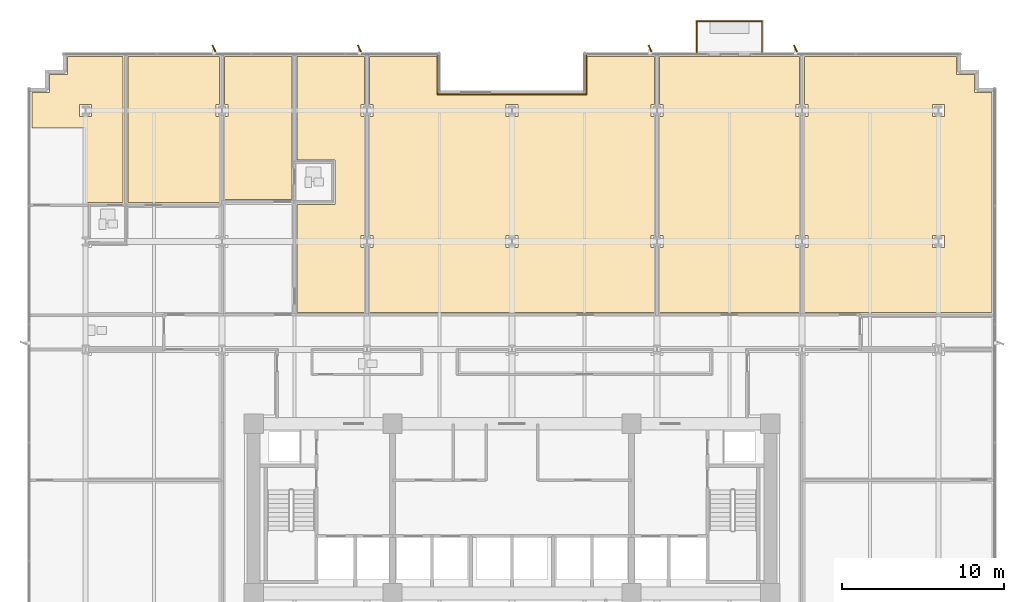
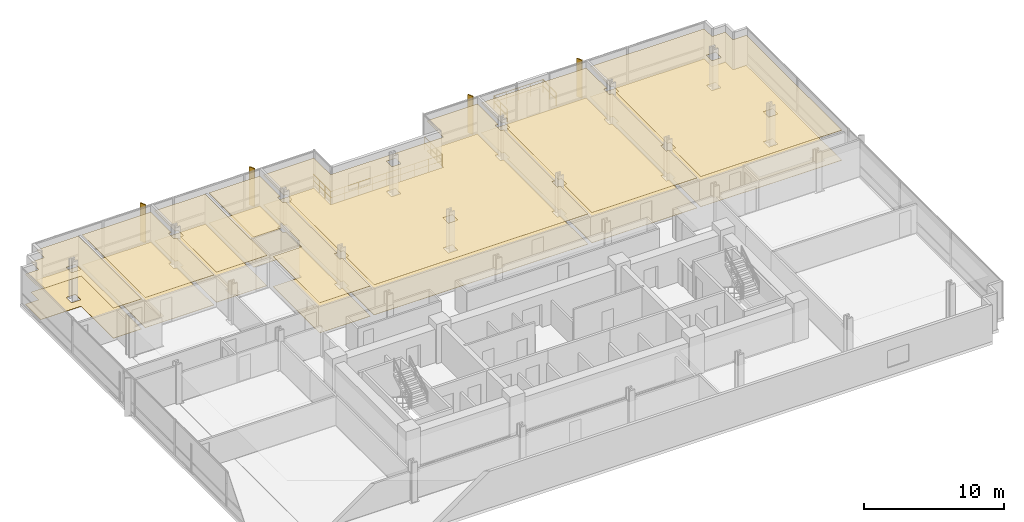
# One storey, part 19 of 20: 14 coverings, 6 railings, 4 shading devices.
"""IFC4 building model written with IfcOpenShell, lengths in metres."""

from ifc_helpers import new_model, si_unit, direction, frame, origin, origin_2d, place, context, subcontext, project, spatial, polyline, rectangle, circle, outline, extrude, material, layer, layer_set, type_object, element, save


model = new_model("IFC4")

# Units and contexts
model_context = context("Model", 3, precision=1e-05, world=origin(), true_north=direction((0.0, 1.0)))
body_context = subcontext(model_context, "Body", "Model", "MODEL_VIEW")
ifc_project = project(units=[si_unit("LENGTHUNIT", "METRE"), si_unit("AREAUNIT", "SQUARE_METRE"), si_unit("VOLUMEUNIT", "CUBIC_METRE"), si_unit("PLANEANGLEUNIT", "RADIAN"), si_unit("MASSUNIT", "GRAM", prefix="KILO")], contexts=[model_context])

# Site, building, storey
site_placement = place(None, origin())
site = spatial("IfcSite", under=ifc_project, at=site_placement, CompositionType="ELEMENT")
building_placement = place(site_placement, origin())
building = spatial("IfcBuilding", under=site, at=building_placement, Name="Solmavex Isthmus Hotel", CompositionType="ELEMENT")
storey_placement = place(building_placement, frame((0.0, 0.0, 57.449951171875)))
storey = spatial("IfcBuildingStorey", under=building, at=storey_placement, Name="L15", CompositionType="ELEMENT", Elevation=57.449951171875)

# Coverings
ifc_material_1 = material(Name="Gypsum plasterboard lining", Category="gypsum")
ifc_layer_1 = layer(ifc_material_1, 0.030029296875)
ifc_layer_set_1 = layer_set([ifc_layer_1], Name="Gypsum plasterboard lining")
covering_type_1 = type_object("IfcCoveringType", Name="COV-CEIL-GYP", PredefinedType="CEILING", material=ifc_layer_set_1)
covering_1_placement = place(storey_placement, frame((0.0, 0.0, 2.6201171875)))
element("IfcCovering", 1, at=covering_1_placement, inside=storey, type_object=covering_type_1, Name="Suspended Acoustic Ceiling L15-HB01", PredefinedType="CEILING", context=body_context, shape_type="SweptSolid", body=[
    extrude(outline(polyline([(-28.625, 18.02490234375), (-29.72509765625, 18.02490234375), (-29.72509765625, 15.800048828125), (-26.39990234375, 15.800048828125), (-26.39990234375, 11.193115234375), (-24.071044921875, 11.193115234375), (-24.071044921875, 20.22509765625), (-27.52490234375, 20.22509765625), (-27.52490234375, 19.125), (-28.625, 19.125), (-28.625, 18.02490234375)]), holes=[polyline([(-26.780029296875, 17.280029296875), (-26.02001953125, 17.280029296875), (-26.02001953125, 16.52001953125), (-26.780029296875, 16.52001953125), (-26.780029296875, 17.280029296875)])]), origin(), (0.0, 0.0, 1.0), 0.030029296875),
])
covering_2_placement = place(storey_placement, frame((0.0, 0.0, 2.6201171875)))
element("IfcCovering", 2, at=covering_2_placement, inside=storey, type_object=covering_type_1, Name="Suspended Acoustic Ceiling L15-HP01", PredefinedType="CEILING", context=body_context, shape_type="SweptSolid", body=[
    extrude(outline(polyline([(-18.10693359375, 16.52001953125), (-18.33203125, 16.52001953125), (-18.33203125, 17.280029296875), (-18.10693359375, 17.280029296875), (-18.10693359375, 20.22509765625), (-23.760986328125, 20.22509765625), (-23.760986328125, 11.193115234375), (-18.10693359375, 11.193115234375), (-18.10693359375, 16.52001953125)])), origin(), (0.0, 0.0, 1.0), 0.030029296875),
])
covering_3_placement = place(storey_placement, frame((0.0, 0.0, 2.6201171875)))
element("IfcCovering", 3, at=covering_3_placement, inside=storey, type_object=covering_type_1, Name="Suspended Acoustic Ceiling L15-SL02-BD", PredefinedType="CEILING", context=body_context, shape_type="SweptSolid", body=[
    extrude(outline(polyline([(-17.797119140625, 17.280029296875), (-17.572021484375, 17.280029296875), (-17.572021484375, 16.52001953125), (-17.797119140625, 16.52001953125), (-17.797119140625, 11.39306640625), (-13.618896484375, 11.39306640625), (-13.618896484375, 20.22509765625), (-17.797119140625, 20.22509765625), (-17.797119140625, 17.280029296875)])), origin(), (0.0, 0.0, 1.0), 0.030029296875),
])
covering_4_placement = place(storey_placement, frame((0.0, 0.0, 2.6201171875)))
element("IfcCovering", 4, at=covering_4_placement, inside=storey, type_object=covering_type_1, Name="Suspended Acoustic Ceiling L15-SV02", PredefinedType="CEILING", context=body_context, shape_type="SweptSolid", body=[
    extrude(outline(polyline([(-9.131103515625, 16.52001953125), (-9.35595703125, 16.52001953125), (-9.35595703125, 17.280029296875), (-9.131103515625, 17.280029296875), (-9.131103515625, 20.22509765625), (-13.30908203125, 20.22509765625), (-13.30908203125, 13.843017578125), (-10.958984375, 13.843017578125), (-10.958984375, 11.0830078125), (-13.30908203125, 11.0830078125), (-13.30908203125, 4.405029296875), (-9.131103515625, 4.405029296875), (-9.131103515625, 8.407958984375), (-9.35595703125, 8.407958984375), (-9.35595703125, 9.16796875), (-9.131103515625, 9.16796875), (-9.131103515625, 16.52001953125)])), origin(), (0.0, 0.0, 1.0), 0.030029296875),
])
covering_5_placement = place(storey_placement, frame((0.0, 0.0, 2.6201171875)))
element("IfcCovering", 5, at=covering_5_placement, inside=storey, type_object=covering_type_1, Name="Suspended Acoustic Ceiling L15-RM03", PredefinedType="CEILING", context=body_context, shape_type="SweptSolid", body=[
    extrude(outline(polyline([(-8.821044921875, 9.16796875), (-8.595947265625, 9.16796875), (-8.595947265625, 8.407958984375), (-8.821044921875, 8.407958984375), (-8.821044921875, 4.405029296875), (8.821044921875, 4.405029296875), (8.821044921875, 8.407958984375), (8.595947265625, 8.407958984375), (8.595947265625, 9.16796875), (8.821044921875, 9.16796875), (8.821044921875, 16.52001953125), (8.595947265625, 16.52001953125), (8.595947265625, 17.280029296875), (8.821044921875, 17.280029296875), (8.821044921875, 20.22509765625), (4.655029296875, 20.22509765625), (4.655029296875, 17.844970703125), (-4.655029296875, 17.844970703125), (-4.655029296875, 20.22509765625), (-8.821044921875, 20.22509765625), (-8.821044921875, 17.280029296875), (-8.595947265625, 17.280029296875), (-8.595947265625, 16.52001953125), (-8.821044921875, 16.52001953125), (-8.821044921875, 9.16796875)]), holes=[polyline([(-0.3798828125, 8.407958984375), (-0.3798828125, 9.16796875), (0.3798828125, 9.16796875), (0.3798828125, 8.407958984375), (-0.3798828125, 8.407958984375)]), polyline([(-0.3798828125, 17.280029296875), (0.3798828125, 17.280029296875), (0.3798828125, 16.52001953125), (-0.3798828125, 16.52001953125), (-0.3798828125, 17.280029296875)])]), origin(), (0.0, 0.0, 1.0), 0.030029296875),
])
covering_6_placement = place(storey_placement, frame((0.0, 0.0, 2.6201171875)))
element("IfcCovering", 6, at=covering_6_placement, inside=storey, type_object=covering_type_1, Name="Suspended Acoustic Ceiling L15-RM04", PredefinedType="CEILING", context=body_context, shape_type="SweptSolid", body=[
    extrude(outline(polyline([(9.131103515625, 9.16796875), (9.35595703125, 9.16796875), (9.35595703125, 8.407958984375), (9.131103515625, 8.407958984375), (9.131103515625, 4.405029296875), (17.797119140625, 4.405029296875), (17.797119140625, 8.407958984375), (17.572021484375, 8.407958984375), (17.572021484375, 9.16796875), (17.797119140625, 9.16796875), (17.797119140625, 16.52001953125), (17.572021484375, 16.52001953125), (17.572021484375, 17.280029296875), (17.797119140625, 17.280029296875), (17.797119140625, 20.22509765625), (9.131103515625, 20.22509765625), (9.131103515625, 17.280029296875), (9.35595703125, 17.280029296875), (9.35595703125, 16.52001953125), (9.131103515625, 16.52001953125), (9.131103515625, 9.16796875)])), origin(), (0.0, 0.0, 1.0), 0.030029296875),
])
covering_7_placement = place(storey_placement, frame((0.0, 0.0, 2.6201171875)))
element("IfcCovering", 7, at=covering_7_placement, inside=storey, type_object=covering_type_1, Name="Suspended Acoustic Ceiling L15-RM05", PredefinedType="CEILING", context=body_context, shape_type="SweptSolid", body=[
    extrude(outline(polyline([(18.10693359375, 9.16796875), (18.33203125, 9.16796875), (18.33203125, 8.407958984375), (18.10693359375, 8.407958984375), (18.10693359375, 4.405029296875), (21.70703125, 4.405029296875), (21.70703125, 4.385009765625), (29.72509765625, 4.385009765625), (29.72509765625, 18.02490234375), (28.625, 18.02490234375), (28.625, 19.125), (27.52490234375, 19.125), (27.52490234375, 20.22509765625), (18.10693359375, 20.22509765625), (18.10693359375, 17.280029296875), (18.33203125, 17.280029296875), (18.33203125, 16.52001953125), (18.10693359375, 16.52001953125), (18.10693359375, 9.16796875)]), holes=[polyline([(26.02001953125, 8.407958984375), (26.02001953125, 9.16796875), (26.780029296875, 9.16796875), (26.780029296875, 8.407958984375), (26.02001953125, 8.407958984375)]), polyline([(26.02001953125, 16.52001953125), (26.02001953125, 17.280029296875), (26.780029296875, 17.280029296875), (26.780029296875, 16.52001953125), (26.02001953125, 16.52001953125)])]), origin(), (0.0, 0.0, 1.0), 0.030029296875),
])
ifc_material_2 = material(Name="Travertine natural stone", Category="masonry")
ifc_layer_2 = layer(ifc_material_2, 0.02490234375)
ifc_layer_set_2 = layer_set([ifc_layer_2], Name="Travertine natural stone")
covering_type_2 = type_object("IfcCoveringType", Name="COV-FLOR-STN", PredefinedType="FLOORING", material=ifc_layer_set_2)
covering_8_placement = place(storey_placement, origin())
element("IfcCovering", 8, at=covering_8_placement, inside=storey, type_object=covering_type_2, Name="Stone and Timber Floor Finish L15-HB01", PredefinedType="FLOORING", context=body_context, shape_type="SweptSolid", body=[
    extrude(outline(polyline([(-28.625, 18.02490234375), (-29.72509765625, 18.02490234375), (-29.72509765625, 15.800048828125), (-26.39990234375, 15.800048828125), (-26.39990234375, 11.193115234375), (-24.071044921875, 11.193115234375), (-24.071044921875, 20.22509765625), (-27.52490234375, 20.22509765625), (-27.52490234375, 19.125), (-28.625, 19.125), (-28.625, 18.02490234375)]), holes=[polyline([(-26.780029296875, 17.280029296875), (-26.02001953125, 17.280029296875), (-26.02001953125, 16.52001953125), (-26.780029296875, 16.52001953125), (-26.780029296875, 17.280029296875)])]), origin(), (0.0, 0.0, 1.0), 0.025146484375),
])
covering_9_placement = place(storey_placement, origin())
element("IfcCovering", 9, at=covering_9_placement, inside=storey, type_object=covering_type_2, Name="Stone and Timber Floor Finish L15-HP01", PredefinedType="FLOORING", context=body_context, shape_type="SweptSolid", body=[
    extrude(outline(polyline([(-18.10693359375, 16.52001953125), (-18.33203125, 16.52001953125), (-18.33203125, 17.280029296875), (-18.10693359375, 17.280029296875), (-18.10693359375, 20.22509765625), (-23.760986328125, 20.22509765625), (-23.760986328125, 11.193115234375), (-18.10693359375, 11.193115234375), (-18.10693359375, 16.52001953125)])), origin(), (0.0, 0.0, 1.0), 0.025146484375),
])
covering_10_placement = place(storey_placement, origin())
element("IfcCovering", 10, at=covering_10_placement, inside=storey, type_object=covering_type_2, Name="Stone and Timber Floor Finish L15-SL02-BD", PredefinedType="FLOORING", context=body_context, shape_type="SweptSolid", body=[
    extrude(outline(polyline([(-17.797119140625, 17.280029296875), (-17.572021484375, 17.280029296875), (-17.572021484375, 16.52001953125), (-17.797119140625, 16.52001953125), (-17.797119140625, 11.39306640625), (-13.618896484375, 11.39306640625), (-13.618896484375, 20.22509765625), (-17.797119140625, 20.22509765625), (-17.797119140625, 17.280029296875)])), origin(), (0.0, 0.0, 1.0), 0.025146484375),
])
covering_11_placement = place(storey_placement, origin())
element("IfcCovering", 11, at=covering_11_placement, inside=storey, type_object=covering_type_2, Name="Stone and Timber Floor Finish L15-SV02", PredefinedType="FLOORING", context=body_context, shape_type="SweptSolid", body=[
    extrude(outline(polyline([(-9.131103515625, 16.52001953125), (-9.35595703125, 16.52001953125), (-9.35595703125, 17.280029296875), (-9.131103515625, 17.280029296875), (-9.131103515625, 20.22509765625), (-13.30908203125, 20.22509765625), (-13.30908203125, 13.843017578125), (-10.958984375, 13.843017578125), (-10.958984375, 11.0830078125), (-13.30908203125, 11.0830078125), (-13.30908203125, 4.405029296875), (-9.131103515625, 4.405029296875), (-9.131103515625, 8.407958984375), (-9.35595703125, 8.407958984375), (-9.35595703125, 9.16796875), (-9.131103515625, 9.16796875), (-9.131103515625, 16.52001953125)])), origin(), (0.0, 0.0, 1.0), 0.025146484375),
])
covering_12_placement = place(storey_placement, origin())
element("IfcCovering", 12, at=covering_12_placement, inside=storey, type_object=covering_type_2, Name="Stone and Timber Floor Finish L15-RM03", PredefinedType="FLOORING", context=body_context, shape_type="SweptSolid", body=[
    extrude(outline(polyline([(-8.821044921875, 9.16796875), (-8.595947265625, 9.16796875), (-8.595947265625, 8.407958984375), (-8.821044921875, 8.407958984375), (-8.821044921875, 4.405029296875), (8.821044921875, 4.405029296875), (8.821044921875, 8.407958984375), (8.595947265625, 8.407958984375), (8.595947265625, 9.16796875), (8.821044921875, 9.16796875), (8.821044921875, 16.52001953125), (8.595947265625, 16.52001953125), (8.595947265625, 17.280029296875), (8.821044921875, 17.280029296875), (8.821044921875, 20.22509765625), (4.655029296875, 20.22509765625), (4.655029296875, 17.844970703125), (-4.655029296875, 17.844970703125), (-4.655029296875, 20.22509765625), (-8.821044921875, 20.22509765625), (-8.821044921875, 17.280029296875), (-8.595947265625, 17.280029296875), (-8.595947265625, 16.52001953125), (-8.821044921875, 16.52001953125), (-8.821044921875, 9.16796875)]), holes=[polyline([(-0.3798828125, 8.407958984375), (-0.3798828125, 9.16796875), (0.3798828125, 9.16796875), (0.3798828125, 8.407958984375), (-0.3798828125, 8.407958984375)]), polyline([(-0.3798828125, 17.280029296875), (0.3798828125, 17.280029296875), (0.3798828125, 16.52001953125), (-0.3798828125, 16.52001953125), (-0.3798828125, 17.280029296875)])]), origin(), (0.0, 0.0, 1.0), 0.025146484375),
])
covering_13_placement = place(storey_placement, origin())
element("IfcCovering", 13, at=covering_13_placement, inside=storey, type_object=covering_type_2, Name="Stone and Timber Floor Finish L15-RM04", PredefinedType="FLOORING", context=body_context, shape_type="SweptSolid", body=[
    extrude(outline(polyline([(9.131103515625, 9.16796875), (9.35595703125, 9.16796875), (9.35595703125, 8.407958984375), (9.131103515625, 8.407958984375), (9.131103515625, 4.405029296875), (17.797119140625, 4.405029296875), (17.797119140625, 8.407958984375), (17.572021484375, 8.407958984375), (17.572021484375, 9.16796875), (17.797119140625, 9.16796875), (17.797119140625, 16.52001953125), (17.572021484375, 16.52001953125), (17.572021484375, 17.280029296875), (17.797119140625, 17.280029296875), (17.797119140625, 20.22509765625), (9.131103515625, 20.22509765625), (9.131103515625, 17.280029296875), (9.35595703125, 17.280029296875), (9.35595703125, 16.52001953125), (9.131103515625, 16.52001953125), (9.131103515625, 9.16796875)])), origin(), (0.0, 0.0, 1.0), 0.025146484375),
])
covering_14_placement = place(storey_placement, origin())
element("IfcCovering", 14, at=covering_14_placement, inside=storey, type_object=covering_type_2, Name="Stone and Timber Floor Finish L15-RM05", PredefinedType="FLOORING", context=body_context, shape_type="SweptSolid", body=[
    extrude(outline(polyline([(18.10693359375, 9.16796875), (18.33203125, 9.16796875), (18.33203125, 8.407958984375), (18.10693359375, 8.407958984375), (18.10693359375, 4.405029296875), (21.70703125, 4.405029296875), (21.70703125, 4.385009765625), (29.72509765625, 4.385009765625), (29.72509765625, 18.02490234375), (28.625, 18.02490234375), (28.625, 19.125), (27.52490234375, 19.125), (27.52490234375, 20.22509765625), (18.10693359375, 20.22509765625), (18.10693359375, 17.280029296875), (18.33203125, 17.280029296875), (18.33203125, 16.52001953125), (18.10693359375, 16.52001953125), (18.10693359375, 9.16796875)]), holes=[polyline([(26.02001953125, 8.407958984375), (26.02001953125, 9.16796875), (26.780029296875, 9.16796875), (26.780029296875, 8.407958984375), (26.02001953125, 8.407958984375)]), polyline([(26.02001953125, 16.52001953125), (26.02001953125, 17.280029296875), (26.780029296875, 17.280029296875), (26.780029296875, 16.52001953125), (26.02001953125, 16.52001953125)])]), origin(), (0.0, 0.0, 1.0), 0.025146484375),
])

# Railings
ifc_material_3 = material(Name="Clear low-E laminated glass", Category="glass")
ifc_layer_3 = layer(ifc_material_3, 0.080078125)
ifc_layer_set_3 = layer_set([ifc_layer_3], Name="Clear low-E laminated glass")
railing_type_1 = type_object("IfcRailingType", Name="RAIL-ATRIUM-1120", PredefinedType="BALUSTRADE", material=ifc_layer_set_3)
railing_1_placement = place(storey_placement, frame((-4.60009765625, 20.419921875, 0.0)))
element("IfcRailing", 15, at=railing_1_placement, inside=storey, type_object=railing_type_1, Name="Guardrail Balustrade L15-SGV-01", PredefinedType="BALUSTRADE", context=body_context, shape_type="SweptSolid", body=[
    extrude(circle(Radius=0.02392578125, at=origin_2d()), frame((0.0, 0.0, 1.1259765625), z_axis=(0.0, -1.0, 0.0), x_axis=(1.0, 0.0, 0.0)), (0.0, 0.0, 1.0), 2.52001953125),
    extrude(circle(Radius=0.02392578125, at=origin_2d()), frame((0.0, 0.0, 0.574951171875), z_axis=(0.0, -1.0, 0.0), x_axis=(1.0, 0.0, 0.0)), (0.0, 0.0, 1.0), 2.52001953125),
    extrude(circle(Radius=0.02099609375, at=origin_2d()), origin(), (0.0, 0.0, 1.0), 1.101806640625),
    extrude(circle(Radius=0.02099609375, at=origin_2d()), frame((0.0, -0.840087890625, 0.0)), (0.0, 0.0, 1.0), 1.101806640625),
    extrude(circle(Radius=0.02099609375, at=origin_2d()), frame((0.0, -1.679931640625, 0.0)), (0.0, 0.0, 1.0), 1.101806640625),
    extrude(circle(Radius=0.02099609375, at=origin_2d()), frame((0.0, -2.52001953125, 0.0)), (0.0, 0.0, 1.0), 1.101806640625),
])
railing_2_placement = place(storey_placement, frame((-4.60009765625, 17.89990234375, 0.0)))
element("IfcRailing", 16, at=railing_2_placement, inside=storey, type_object=railing_type_1, Name="Guardrail Balustrade L15-SGV-02", PredefinedType="BALUSTRADE", context=body_context, shape_type="SweptSolid", body=[
    extrude(circle(Radius=0.02392578125, at=origin_2d()), frame((0.0, 0.0, 1.1259765625), z_axis=(1.0, 0.0, 0.0), x_axis=(0.0, 1.0, 0.0)), (0.0, 0.0, 1.0), 9.2001953125),
    extrude(circle(Radius=0.02392578125, at=origin_2d()), frame((0.0, 0.0, 0.574951171875), z_axis=(1.0, 0.0, 0.0), x_axis=(0.0, 1.0, 0.0)), (0.0, 0.0, 1.0), 9.2001953125),
    extrude(circle(Radius=0.02099609375, at=origin_2d()), origin(), (0.0, 0.0, 1.0), 1.101806640625),
    extrude(circle(Radius=0.02099609375, at=origin_2d()), frame((1.14990234375, 0.0, 0.0)), (0.0, 0.0, 1.0), 1.101806640625),
    extrude(circle(Radius=0.02099609375, at=origin_2d()), frame((2.300048828125, 0.0, 0.0)), (0.0, 0.0, 1.0), 1.101806640625),
    extrude(circle(Radius=0.02099609375, at=origin_2d()), frame((3.4501953125, 0.0, 0.0)), (0.0, 0.0, 1.0), 1.101806640625),
    extrude(circle(Radius=0.02099609375, at=origin_2d()), frame((4.60009765625, 0.0, 0.0)), (0.0, 0.0, 1.0), 1.101806640625),
    extrude(circle(Radius=0.02099609375, at=origin_2d()), frame((5.75, 0.0, 0.0)), (0.0, 0.0, 1.0), 1.101806640625),
    extrude(circle(Radius=0.02099609375, at=origin_2d()), frame((6.900146484375, 0.0, 0.0)), (0.0, 0.0, 1.0), 1.101806640625),
    extrude(circle(Radius=0.02099609375, at=origin_2d()), frame((8.05029296875, 0.0, 0.0)), (0.0, 0.0, 1.0), 1.101806640625),
    extrude(circle(Radius=0.02099609375, at=origin_2d()), frame((9.2001953125, 0.0, 0.0)), (0.0, 0.0, 1.0), 1.101806640625),
])
railing_3_placement = place(storey_placement, frame((4.60009765625, 17.89990234375, 0.0)))
element("IfcRailing", 17, at=railing_3_placement, inside=storey, type_object=railing_type_1, Name="Guardrail Balustrade L15-SGV-03", PredefinedType="BALUSTRADE", context=body_context, shape_type="SweptSolid", body=[
    extrude(circle(Radius=0.02392578125, at=origin_2d()), frame((0.0, 0.0, 1.1259765625), z_axis=(0.0, 1.0, 0.0), x_axis=(-1.0, 0.0, 0.0)), (0.0, 0.0, 1.0), 2.52001953125),
    extrude(circle(Radius=0.02392578125, at=origin_2d()), frame((0.0, 0.0, 0.574951171875), z_axis=(0.0, 1.0, 0.0), x_axis=(-1.0, 0.0, 0.0)), (0.0, 0.0, 1.0), 2.52001953125),
    extrude(circle(Radius=0.02099609375, at=origin_2d()), origin(), (0.0, 0.0, 1.0), 1.101806640625),
    extrude(circle(Radius=0.02099609375, at=origin_2d()), frame((0.0, 0.840087890625, 0.0)), (0.0, 0.0, 1.0), 1.101806640625),
    extrude(circle(Radius=0.02099609375, at=origin_2d()), frame((0.0, 1.679931640625, 0.0)), (0.0, 0.0, 1.0), 1.101806640625),
    extrude(circle(Radius=0.02099609375, at=origin_2d()), frame((0.0, 2.52001953125, 0.0)), (0.0, 0.0, 1.0), 1.101806640625),
])
ifc_layer_4 = layer(ifc_material_3, 0.070068359375)
ifc_layer_set_4 = layer_set([ifc_layer_4], Name="Clear low-E laminated glass")
railing_type_2 = type_object("IfcRailingType", Name="RAIL-GUARD-1100", PredefinedType="BALUSTRADE", material=ifc_layer_set_4)
railing_4_placement = place(storey_placement, frame((11.444091796875, 20.5, 0.0)))
element("IfcRailing", 18, at=railing_4_placement, inside=storey, type_object=railing_type_2, Name="Guardrail Balustrade L15-BAL2-01", PredefinedType="BALUSTRADE", context=body_context, shape_type="SweptSolid", body=[
    extrude(circle(Radius=0.02392578125, at=origin_2d()), frame((0.0, 0.0, 1.09619140625), z_axis=(0.0, 1.0, 0.0), x_axis=(-1.0, 0.0, 0.0)), (0.0, 0.0, 1.0), 1.919921875),
    extrude(circle(Radius=0.02392578125, at=origin_2d()), frame((0.0, 0.0, 0.56005859375), z_axis=(0.0, 1.0, 0.0), x_axis=(-1.0, 0.0, 0.0)), (0.0, 0.0, 1.0), 1.919921875),
    extrude(circle(Radius=0.02099609375, at=origin_2d()), origin(), (0.0, 0.0, 1.0), 1.072021484375),
    extrude(circle(Radius=0.02099609375, at=origin_2d()), frame((0.0, 0.9599609375, 0.0)), (0.0, 0.0, 1.0), 1.072021484375),
    extrude(circle(Radius=0.02099609375, at=origin_2d()), frame((0.0, 1.919921875, 0.0)), (0.0, 0.0, 1.0), 1.072021484375),
])
railing_5_placement = place(storey_placement, frame((11.444091796875, 22.419921875, 0.0)))
element("IfcRailing", 19, at=railing_5_placement, inside=storey, type_object=railing_type_2, Name="Guardrail Balustrade L15-BAL2-02", PredefinedType="BALUSTRADE", context=body_context, shape_type="SweptSolid", body=[
    extrude(circle(Radius=0.02392578125, at=origin_2d()), frame((0.0, 0.0, 1.09619140625), z_axis=(1.0, 0.0, 0.0), x_axis=(0.0, 1.0, 0.0)), (0.0, 0.0, 1.0), 4.039794921875),
    extrude(circle(Radius=0.02392578125, at=origin_2d()), frame((0.0, 0.0, 0.56005859375), z_axis=(1.0, 0.0, 0.0), x_axis=(0.0, 1.0, 0.0)), (0.0, 0.0, 1.0), 4.039794921875),
    extrude(circle(Radius=0.02099609375, at=origin_2d()), origin(), (0.0, 0.0, 1.0), 1.072021484375),
    extrude(circle(Radius=0.02099609375, at=origin_2d()), frame((1.010009765625, 0.0, 0.0)), (0.0, 0.0, 1.0), 1.072021484375),
    extrude(circle(Radius=0.02099609375, at=origin_2d()), frame((2.02001953125, 0.0, 0.0)), (0.0, 0.0, 1.0), 1.072021484375),
    extrude(circle(Radius=0.02099609375, at=origin_2d()), frame((3.02978515625, 0.0, 0.0)), (0.0, 0.0, 1.0), 1.072021484375),
    extrude(circle(Radius=0.02099609375, at=origin_2d()), frame((4.039794921875, 0.0, 0.0)), (0.0, 0.0, 1.0), 1.072021484375),
])
railing_6_placement = place(storey_placement, frame((15.48388671875, 22.419921875, 0.0)))
element("IfcRailing", 20, at=railing_6_placement, inside=storey, type_object=railing_type_2, Name="Guardrail Balustrade L15-BAL2-03", PredefinedType="BALUSTRADE", context=body_context, shape_type="SweptSolid", body=[
    extrude(circle(Radius=0.02392578125, at=origin_2d()), frame((0.0, 0.0, 1.09619140625), z_axis=(0.0, -1.0, 0.0), x_axis=(1.0, 0.0, 0.0)), (0.0, 0.0, 1.0), 1.919921875),
    extrude(circle(Radius=0.02392578125, at=origin_2d()), frame((0.0, 0.0, 0.56005859375), z_axis=(0.0, -1.0, 0.0), x_axis=(1.0, 0.0, 0.0)), (0.0, 0.0, 1.0), 1.919921875),
    extrude(circle(Radius=0.02099609375, at=origin_2d()), origin(), (0.0, 0.0, 1.0), 1.072021484375),
    extrude(circle(Radius=0.02099609375, at=origin_2d()), frame((0.0, -0.9599609375, 0.0)), (0.0, 0.0, 1.0), 1.072021484375),
    extrude(circle(Radius=0.02099609375, at=origin_2d()), frame((0.0, -1.919921875, 0.0)), (0.0, 0.0, 1.0), 1.072021484375),
])

# Shading devices
ifc_material_4 = material(Name="Aluminium alloy 6063-T6", Category="aluminium")
shading_device_type = type_object("IfcShadingDeviceType", Name="SHD-FIN-BRONZE", PredefinedType="USERDEFINED", material=ifc_material_4)
for number, where, z_axis, x_axis, name in (
    (21, (-18.449951171875, 20.739990234375, -0.139892578125), (0.0, 0.0, 1.0), (-0.438371146789, 0.898794046299, 0.0), "Anodised Aluminium Solar Fin L15-N1"),
    (22, (-9.449951171875, 20.739990234375, -0.139892578125), (0.0, 0.0, 1.0), (-0.438371146789, 0.898794046299, 0.0), "Anodised Aluminium Solar Fin L15-N2"),
    (23, (8.550048828125, 20.739990234375, -0.139892578125), (0.0, 0.0, 1.0), (-0.438371146789, 0.898794046299, 0.0), "Anodised Aluminium Solar Fin L15-N3"),
    (24, (17.550048828125, 20.739990234375, -0.139892578125), (0.0, 0.0, 1.0), (-0.438371146789, 0.898794046299, 0.0), "Anodised Aluminium Solar Fin L15-N4"),
):
    element("IfcShadingDevice", number, at=place(storey_placement, frame(where, z_axis=z_axis, x_axis=x_axis)), inside=storey, type_object=shading_device_type, Name=name, ObjectType="SOLAR_FIN", PredefinedType="USERDEFINED", context=body_context, shape_type="SweptSolid", body=[
        extrude(rectangle(XDim=0.449951171875, YDim=0.080078125, at=origin_2d()), origin(), (0.0, 0.0, 1.0), 3.330078125),
    ])

save(model, "model.ifc")
